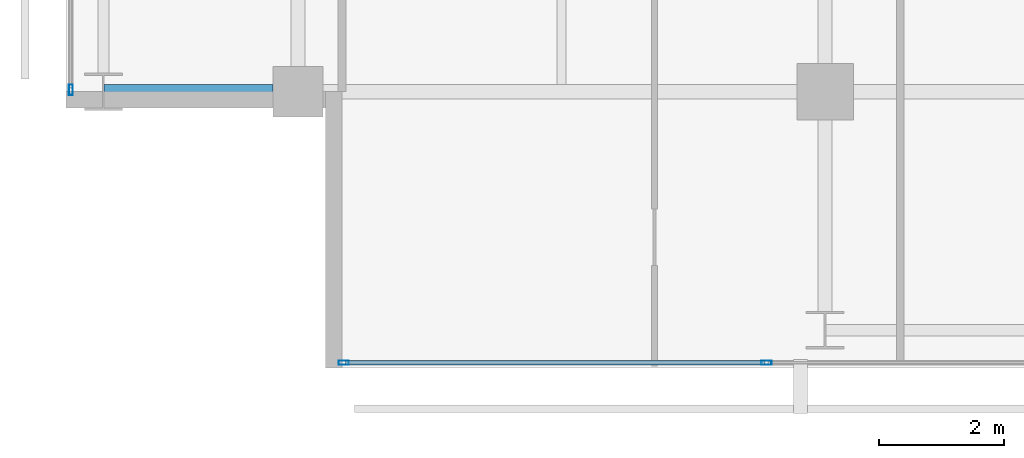
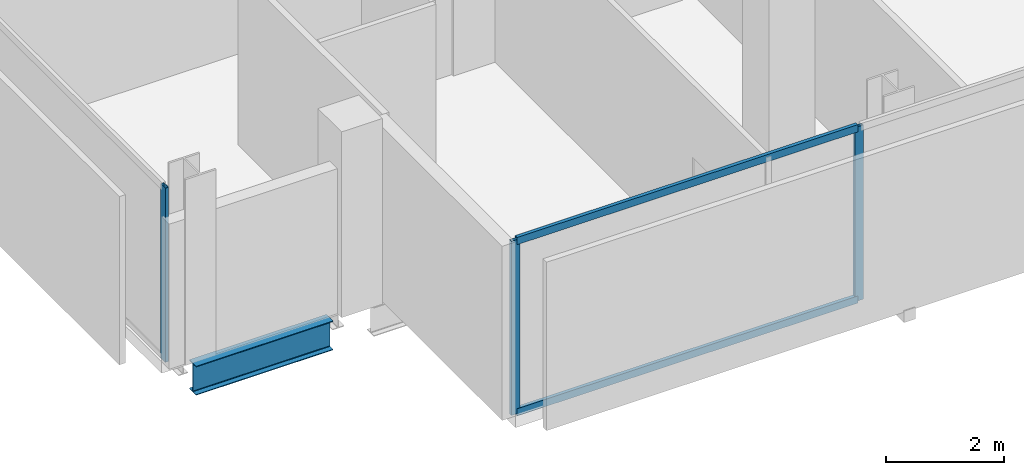
# One storey, part 2 of 34: 5 members, 1 beam, 2 elements without a shape of their own.
"""IFC4 building model written with IfcOpenShell, lengths in metres."""

from ifc_helpers import new_model, si_unit, direction, frame, origin, origin_2d, place, context, subcontext, project, spatial, hollow_rectangle, i_section, extrude, material, layer, layer_set, material_profile, profile_set, type_object, element, aggregate, save


model = new_model("IFC4")

# Units and contexts
model_context = context("Model", 3, precision=1e-05, world=origin(), true_north=direction((0.0, 1.0)))
body_context = subcontext(model_context, "Body", "Model", "MODEL_VIEW")
ifc_project = project(units=[si_unit("LENGTHUNIT", "METRE"), si_unit("AREAUNIT", "SQUARE_METRE"), si_unit("VOLUMEUNIT", "CUBIC_METRE"), si_unit("PLANEANGLEUNIT", "RADIAN"), si_unit("MASSUNIT", "GRAM", prefix="KILO")], contexts=[model_context])

# Site, building, storey
site_placement = place(None, origin())
site = spatial("IfcSite", under=ifc_project, at=site_placement, CompositionType="ELEMENT")
building_placement = place(site_placement, origin())
building = spatial("IfcBuilding", under=site, at=building_placement, Name="Maruvema Waterfront Hotel and Observation Tower", CompositionType="ELEMENT")
storey_placement = place(building_placement, frame((0.0, 0.0, 189.0)))
storey = spatial("IfcBuildingStorey", under=building, at=storey_placement, Name="L46", CompositionType="ELEMENT", Elevation=189.0)

# Curtain wall, members
ifc_material_1 = material(Name="Anodised bronze aluminium and solar-control low-E IGU", Category="aluminium")
ifc_layer = layer(ifc_material_1, 0.159912109375, Name="Zone 2 Amber Inner Thermal Curtain Wall System CW-03")
ifc_layer_set = layer_set([ifc_layer], Name="Anodised bronze aluminium and solar-control low-E IGU")
curtain_wall_type = type_object("IfcCurtainWallType", Name="Zone 2 Amber Inner Thermal Curtain Wall System CW-03", PredefinedType="USERDEFINED", material=ifc_layer_set)
curtain_wall_1_placement = place(storey_placement, origin())
curtain_wall_1 = element("IfcCurtainWall", 1, at=curtain_wall_1_placement, inside=storey, type_object=curtain_wall_type, Name="L46 Curtain Wall CW-L46-S", ObjectType="UNITISED CURTAIN WALL", PredefinedType="USERDEFINED")
ifc_material_2 = material(Name="Anodised architectural bronze aluminium", Category="aluminium")
ifc_material_profile_1 = material_profile(ifc_material_2, hollow_rectangle(XDim=0.070068359375, YDim=0.14990234375, WallThickness=0.00390625, at=origin_2d()), Name="ALU-T70x150")
ifc_profile_set_1 = profile_set([ifc_material_profile_1], Name="Anodised architectural bronze aluminium")
member_type_1 = type_object("IfcMemberType", Name="Curtain Wall Horizontal Transom ALU-T70x150", PredefinedType="USERDEFINED", material=ifc_profile_set_1)
member_1_placement = place(storey_placement, frame((17.56005859375, 4.679931640625, 0.030029296875), z_axis=(1.0, 0.0, 0.0), x_axis=(0.0, 1.0, 0.0)))
member_1 = element("IfcMember", 2, at=member_1_placement, type_object=member_type_1, Name="CW-03 transom 1.1", ObjectType="TRANSOM", PredefinedType="USERDEFINED", context=body_context, shape_type="SweptSolid", body=[
    extrude(hollow_rectangle(XDim=0.070068359375, YDim=0.14990234375, WallThickness=0.00390625, at=origin_2d()), origin(), (0.0, 0.0, 1.0), 6.676513671875),
])
member_2_placement = place(storey_placement, frame((17.56005859375, 4.679931640625, 3.580078125), z_axis=(1.0, 0.0, 0.0), x_axis=(0.0, 1.0, 0.0)))
member_2 = element("IfcMember", 3, at=member_2_placement, type_object=member_type_1, Name="CW-03 transom 1.2", ObjectType="TRANSOM", PredefinedType="USERDEFINED", context=body_context, shape_type="SweptSolid", body=[
    extrude(hollow_rectangle(XDim=0.070068359375, YDim=0.14990234375, WallThickness=0.00390625, at=origin_2d()), origin(), (0.0, 0.0, 1.0), 6.676513671875),
])
ifc_material_3 = material(Name="Anodised architectural bronze aluminium", Category="aluminium")
ifc_material_profile_2 = material_profile(ifc_material_3, hollow_rectangle(XDim=0.06494140625, YDim=0.1650390625, WallThickness=0.00390625, at=origin_2d()), Name="ALU-M65x165")
ifc_profile_set_2 = profile_set([ifc_material_profile_2], Name="Anodised architectural bronze aluminium")
member_type_2 = type_object("IfcMemberType", Name="Curtain Wall Primary Mullion ALU-M65x165", PredefinedType="MULLION", material=ifc_profile_set_2)
member_3_placement = place(storey_placement, frame((17.530029296875, 4.679931640625, 0.0), z_axis=(0.0, 0.0, 1.0), x_axis=(0.0, 1.0, 0.0)))
member_3 = element("IfcMember", 4, at=member_3_placement, type_object=member_type_2, Name="CW-03 mullion 1", PredefinedType="MULLION", context=body_context, shape_type="SweptSolid", body=[
    extrude(hollow_rectangle(XDim=0.06494140625, YDim=0.1650390625, WallThickness=0.00390625, at=origin_2d()), origin(), (0.0, 0.0, 1.0), 3.610107421875),
])
member_4_placement = place(storey_placement, frame((24.2666015625, 4.679931640625, 0.0), z_axis=(0.0, 0.0, 1.0), x_axis=(0.0, 1.0, 0.0)))
member_4 = element("IfcMember", 5, at=member_4_placement, type_object=member_type_2, Name="CW-03 mullion 2", PredefinedType="MULLION", context=body_context, shape_type="SweptSolid", body=[
    extrude(hollow_rectangle(XDim=0.06494140625, YDim=0.1650390625, WallThickness=0.00390625, at=origin_2d()), origin(), (0.0, 0.0, 1.0), 3.610107421875),
])
aggregate(curtain_wall_1, [member_3, member_4, member_1, member_2])

# Curtain wall, member
curtain_wall_2_placement = place(storey_placement, origin())
curtain_wall_2 = element("IfcCurtainWall", 6, at=curtain_wall_2_placement, inside=storey, type_object=curtain_wall_type, Name="L46 Curtain Wall CW-L46-W", ObjectType="UNITISED CURTAIN WALL", PredefinedType="USERDEFINED")
member_5_placement = place(storey_placement, frame((13.179931640625, 9.030029296875, 0.0), z_axis=(0.0, 0.0, 1.0), x_axis=(1.0, 0.0, 0.0)))
member_5 = element("IfcMember", 7, at=member_5_placement, type_object=member_type_2, Name="CW-03 mullion 7", PredefinedType="MULLION", context=body_context, shape_type="SweptSolid", body=[
    extrude(hollow_rectangle(XDim=0.06494140625, YDim=0.1650390625, WallThickness=0.00390625, at=origin_2d()), origin(), (0.0, 0.0, 1.0), 3.610107421875),
])
aggregate(curtain_wall_2, [member_5])

# Beam
ifc_material_4 = material(Name="Steel ASTM A572 Grade 50", Category="steel")
ifc_material_profile_3 = material_profile(ifc_material_4, i_section(OverallWidth=0.22802734375, OverallDepth=0.60302734375, WebThickness=0.010498046875, FlangeThickness=0.014892578125, FilletRadius=0.01806640625, at=origin_2d()), Name="W610x101.0")
ifc_profile_set_3 = profile_set([ifc_material_profile_3], Name="Steel ASTM A572 Grade 50")
beam_type = type_object("IfcBeamType", Name="Primary Floor Girder W610x101.0", PredefinedType="BEAM", material=ifc_profile_set_3)
beam_placement = place(storey_placement, frame((13.71240234375, 9.0, -0.54150390625), z_axis=(1.0, 0.0, 0.0), x_axis=(0.0, 1.0, 0.0)))
element("IfcBeam", 8, at=beam_placement, inside=storey, type_object=beam_type, Name="L46 Floor Girder EW-04", PredefinedType="BEAM", context=body_context, shape_type="SweptSolid", body=[
    extrude(i_section(OverallWidth=0.22802734375, OverallDepth=0.60302734375, WebThickness=0.010498046875, FlangeThickness=0.014892578125, FilletRadius=0.01806640625, at=origin_2d()), origin(), (0.0, 0.0, 1.0), 2.6875),
])

save(model, "model.ifc")
